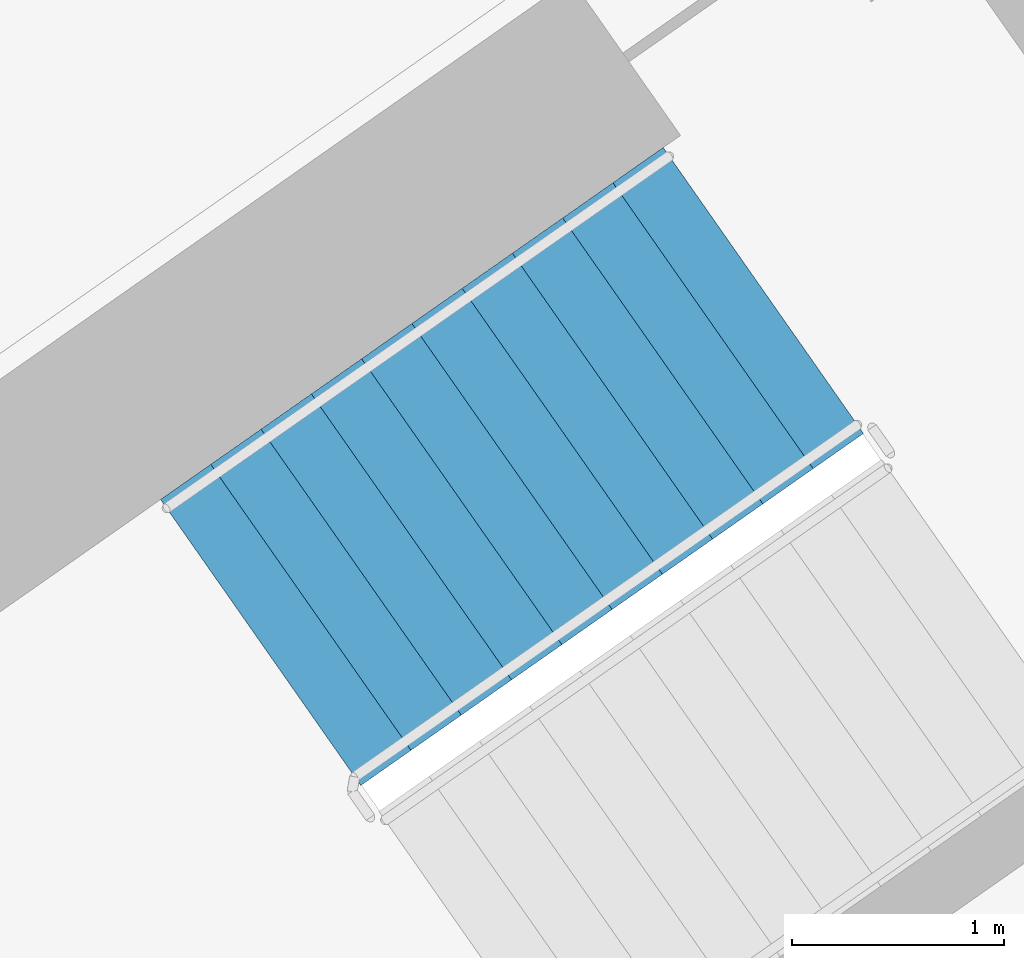
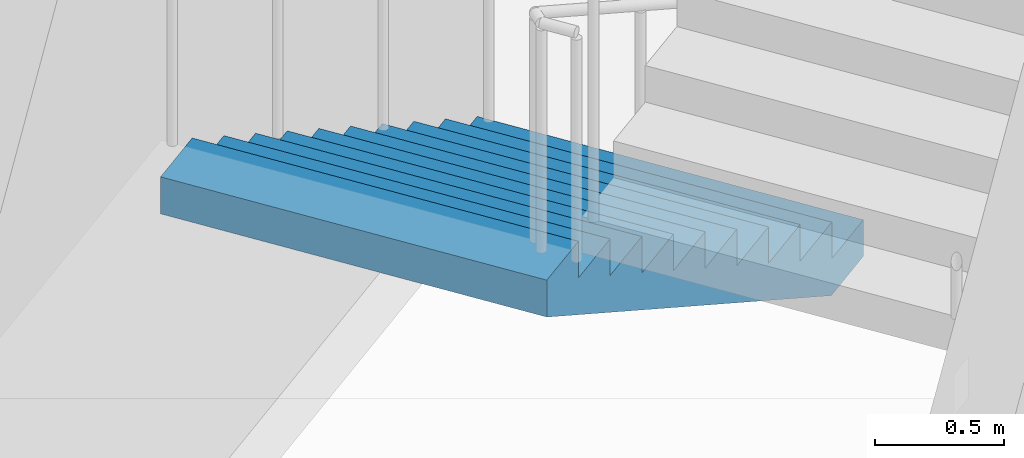
# One storey, part 15 of 30: 1 stair flight, 1 element without a shape of its own.
"""IFC4 building model written with IfcOpenShell, lengths in metres."""

from ifc_helpers import new_model, si_unit, direction, frame, origin, place, context, subcontext, project, spatial, faceted_brep, material, type_object, element, aggregate, save


model = new_model("IFC4")

# Units and contexts
model_context = context("Model", 3, precision=1e-05, world=origin(), true_north=direction((0.0, 1.0)))
body_context = subcontext(model_context, "Body", "Model", "MODEL_VIEW")
ifc_project = project(units=[si_unit("LENGTHUNIT", "METRE"), si_unit("AREAUNIT", "SQUARE_METRE"), si_unit("VOLUMEUNIT", "CUBIC_METRE"), si_unit("PLANEANGLEUNIT", "RADIAN"), si_unit("MASSUNIT", "GRAM", prefix="KILO")], contexts=[model_context])

# Site, building, storey
site_placement = place(None, origin())
site = spatial("IfcSite", under=ifc_project, at=site_placement, CompositionType="ELEMENT")
building_placement = place(site_placement, origin())
building = spatial("IfcBuilding", under=site, at=building_placement, Name="Qamariyya Broadcast Tower", CompositionType="ELEMENT")
storey_placement = place(building_placement, frame((0.0, 0.0, 98.699951171875)))
storey = spatial("IfcBuildingStorey", under=building, at=storey_placement, Name="L21", CompositionType="ELEMENT", Elevation=98.699951171875)

# Stair, stair flight
ifc_material = material(Name="Concrete C50/60", Category="concrete")
stair_type = type_object("IfcStairType", Name="Exit stair 22 risers of 173 mm", PredefinedType="HALF_TURN_STAIR", material=ifc_material)
stair_placement = place(storey_placement, origin())
stair = element("IfcStair", 1, at=stair_placement, inside=storey, type_object=stair_type, Name="L21 Stair E2", PredefinedType="HALF_TURN_STAIR")
stair_flight_type = type_object("IfcStairFlightType", Name="Exit stair flight 11 risers of 173 mm", PredefinedType="STRAIGHT", material=ifc_material)
stair_flight_placement = place(storey_placement, frame((40.558837890625, -47.685302734375, 0.0), z_axis=(0.0, 0.0, 1.0), x_axis=(-0.819152044289, -0.573576436351, 0.0)))
stair_flight = element("IfcStairFlight", 2, at=stair_flight_placement, type_object=stair_flight_type, Name="ST-E2 flight 1", NumberOfRisers=11, NumberOfTreads=10, PredefinedType="STRAIGHT", RiserHeight=0.172727273, TreadLength=0.29, context=body_context, shape_type="Brep", body=[
    faceted_brep([(0.0, 0.824951171875, 0.0), (0.0, 0.824951171875, 0.172607421875), (0.2900390625, 0.824951171875, 0.172607421875), (0.2900390625, 0.824951171875, 0.345458984375), (0.580078125, 0.824951171875, 0.345458984375), (0.580078125, 0.824951171875, 0.51806640625), (0.8701171875, 0.824951171875, 0.51806640625), (0.8701171875, 0.824951171875, 0.69091796875), (1.159912109375, 0.824951171875, 0.69091796875), (1.159912109375, 0.824951171875, 0.863525390625), (1.449951171875, 0.824951171875, 0.863525390625), (1.449951171875, 0.824951171875, 1.036376953125), (1.739990234375, 0.824951171875, 1.036376953125), (1.739990234375, 0.824951171875, 1.208984375), (2.030029296875, 0.824951171875, 1.208984375), (2.030029296875, 0.824951171875, 1.3818359375), (2.320068359375, 0.824951171875, 1.3818359375), (2.320068359375, 0.824951171875, 1.554443359375), (2.610107421875, 0.824951171875, 1.554443359375), (2.610107421875, 0.824951171875, 1.727294921875), (2.89990234375, 0.824951171875, 1.727294921875), (2.89990234375, 0.824951171875, 1.552734375), (0.29296875, 0.824951171875, 0.0), (0.29296875, -0.824951171875, 0.0), (2.89990234375, -0.824951171875, 1.552734375), (2.89990234375, -0.824951171875, 1.727294921875), (2.610107421875, -0.824951171875, 1.727294921875), (2.610107421875, -0.824951171875, 1.554443359375), (2.320068359375, -0.824951171875, 1.554443359375), (2.320068359375, -0.824951171875, 1.3818359375), (2.030029296875, -0.824951171875, 1.3818359375), (2.030029296875, -0.824951171875, 1.208984375), (1.739990234375, -0.824951171875, 1.208984375), (1.739990234375, -0.824951171875, 1.036376953125), (1.449951171875, -0.824951171875, 1.036376953125), (1.449951171875, -0.824951171875, 0.863525390625), (1.159912109375, -0.824951171875, 0.863525390625), (1.159912109375, -0.824951171875, 0.69091796875), (0.8701171875, -0.824951171875, 0.69091796875), (0.8701171875, -0.824951171875, 0.51806640625), (0.580078125, -0.824951171875, 0.51806640625), (0.580078125, -0.824951171875, 0.345458984375), (0.2900390625, -0.824951171875, 0.345458984375), (0.2900390625, -0.824951171875, 0.172607421875), (0.0, -0.824951171875, 0.172607421875), (0.0, -0.824951171875, 0.0), (0.0, 0.10009765625, 0.0), (0.0, 0.086669921875, 0.0), (0.0, 0.0732421875, 0.0), (0.0, 0.06005859375, 0.0), (0.0, 0.046630859375, 0.0), (0.0, 0.033447265625, 0.0), (0.0, 0.02001953125, 0.0), (0.0, 0.006591796875, 0.0), (0.0, -0.006591796875, 0.0), (0.0, -0.02001953125, 0.0), (0.0, -0.033447265625, 0.0), (0.0, -0.046630859375, 0.0), (0.0, -0.06005859375, 0.0), (0.0, -0.0732421875, 0.0), (0.0, -0.086669921875, 0.0), (0.0, -0.10009765625, 0.0), (0.0, -0.10009765625, 0.172607421875), (0.0, -0.086669921875, 0.172607421875), (0.0, -0.0732421875, 0.172607421875), (0.0, -0.06005859375, 0.172607421875), (0.0, -0.046630859375, 0.172607421875), (0.0, -0.033447265625, 0.172607421875), (0.0, -0.02001953125, 0.172607421875), (0.0, -0.006591796875, 0.172607421875), (0.0, 0.006591796875, 0.172607421875), (0.0, 0.02001953125, 0.172607421875), (0.0, 0.033447265625, 0.172607421875), (0.0, 0.046630859375, 0.172607421875), (0.0, 0.06005859375, 0.172607421875), (0.0, 0.0732421875, 0.172607421875), (0.0, 0.086669921875, 0.172607421875), (0.0, 0.10009765625, 0.172607421875), (0.2900390625, -0.10009765625, 0.172607421875), (0.2900390625, -0.086669921875, 0.172607421875), (0.2900390625, -0.0732421875, 0.172607421875), (0.2900390625, -0.06005859375, 0.172607421875), (0.2900390625, -0.046630859375, 0.172607421875), (0.2900390625, -0.033447265625, 0.172607421875), (0.2900390625, -0.02001953125, 0.172607421875), (0.2900390625, -0.006591796875, 0.172607421875), (0.2900390625, 0.006591796875, 0.172607421875), (0.2900390625, 0.02001953125, 0.172607421875), (0.2900390625, 0.033447265625, 0.172607421875), (0.2900390625, 0.046630859375, 0.172607421875), (0.2900390625, 0.06005859375, 0.172607421875), (0.2900390625, 0.0732421875, 0.172607421875), (0.2900390625, 0.086669921875, 0.172607421875), (0.2900390625, 0.10009765625, 0.172607421875), (0.2900390625, -0.10009765625, 0.345458984375), (0.2900390625, -0.086669921875, 0.345458984375), (0.2900390625, -0.0732421875, 0.345458984375), (0.2900390625, -0.06005859375, 0.345458984375), (0.2900390625, -0.046630859375, 0.345458984375), (0.2900390625, -0.033447265625, 0.345458984375), (0.2900390625, -0.02001953125, 0.345458984375), (0.2900390625, -0.006591796875, 0.345458984375), (0.2900390625, 0.006591796875, 0.345458984375), (0.2900390625, 0.02001953125, 0.345458984375), (0.2900390625, 0.033447265625, 0.345458984375), (0.2900390625, 0.046630859375, 0.345458984375), (0.2900390625, 0.06005859375, 0.345458984375), (0.2900390625, 0.0732421875, 0.345458984375), (0.2900390625, 0.086669921875, 0.345458984375), (0.2900390625, 0.10009765625, 0.345458984375), (0.580078125, -0.10009765625, 0.345458984375), (0.580078125, -0.086669921875, 0.345458984375), (0.580078125, -0.0732421875, 0.345458984375), (0.580078125, -0.06005859375, 0.345458984375), (0.580078125, -0.046630859375, 0.345458984375), (0.580078125, -0.033447265625, 0.345458984375), (0.580078125, -0.02001953125, 0.345458984375), (0.580078125, -0.006591796875, 0.345458984375), (0.580078125, 0.006591796875, 0.345458984375), (0.580078125, 0.02001953125, 0.345458984375), (0.580078125, 0.033447265625, 0.345458984375), (0.580078125, 0.046630859375, 0.345458984375), (0.580078125, 0.06005859375, 0.345458984375), (0.580078125, 0.0732421875, 0.345458984375), (0.580078125, 0.086669921875, 0.345458984375), (0.580078125, 0.10009765625, 0.345458984375), (0.580078125, -0.10009765625, 0.51806640625), (0.580078125, -0.086669921875, 0.51806640625), (0.580078125, -0.0732421875, 0.51806640625), (0.580078125, -0.06005859375, 0.51806640625), (0.580078125, -0.046630859375, 0.51806640625), (0.580078125, -0.033447265625, 0.51806640625), (0.580078125, -0.02001953125, 0.51806640625), (0.580078125, -0.006591796875, 0.51806640625), (0.580078125, 0.006591796875, 0.51806640625), (0.580078125, 0.02001953125, 0.51806640625), (0.580078125, 0.033447265625, 0.51806640625), (0.580078125, 0.046630859375, 0.51806640625), (0.580078125, 0.06005859375, 0.51806640625), (0.580078125, 0.0732421875, 0.51806640625), (0.580078125, 0.086669921875, 0.51806640625), (0.580078125, 0.10009765625, 0.51806640625), (0.8701171875, -0.10009765625, 0.51806640625), (0.8701171875, -0.086669921875, 0.51806640625), (0.8701171875, -0.0732421875, 0.51806640625), (0.8701171875, -0.06005859375, 0.51806640625), (0.8701171875, -0.046630859375, 0.51806640625), (0.8701171875, -0.033447265625, 0.51806640625), (0.8701171875, -0.02001953125, 0.51806640625), (0.8701171875, -0.006591796875, 0.51806640625), (0.8701171875, 0.006591796875, 0.51806640625), (0.8701171875, 0.02001953125, 0.51806640625), (0.8701171875, 0.033447265625, 0.51806640625), (0.8701171875, 0.046630859375, 0.51806640625), (0.8701171875, 0.06005859375, 0.51806640625), (0.8701171875, 0.0732421875, 0.51806640625), (0.8701171875, 0.086669921875, 0.51806640625), (0.8701171875, 0.10009765625, 0.51806640625), (0.8701171875, -0.10009765625, 0.69091796875), (0.8701171875, -0.086669921875, 0.69091796875), (0.8701171875, -0.0732421875, 0.69091796875), (0.8701171875, -0.06005859375, 0.69091796875), (0.8701171875, -0.046630859375, 0.69091796875), (0.8701171875, -0.033447265625, 0.69091796875), (0.8701171875, -0.02001953125, 0.69091796875), (0.8701171875, -0.006591796875, 0.69091796875), (0.8701171875, 0.006591796875, 0.69091796875), (0.8701171875, 0.02001953125, 0.69091796875), (0.8701171875, 0.033447265625, 0.69091796875), (0.8701171875, 0.046630859375, 0.69091796875), (0.8701171875, 0.06005859375, 0.69091796875), (0.8701171875, 0.0732421875, 0.69091796875), (0.8701171875, 0.086669921875, 0.69091796875), (0.8701171875, 0.10009765625, 0.69091796875), (1.159912109375, -0.10009765625, 0.69091796875), (1.159912109375, -0.086669921875, 0.69091796875), (1.159912109375, -0.0732421875, 0.69091796875), (1.159912109375, -0.06005859375, 0.69091796875), (1.159912109375, -0.046630859375, 0.69091796875), (1.159912109375, -0.033447265625, 0.69091796875), (1.159912109375, -0.02001953125, 0.69091796875), (1.159912109375, -0.006591796875, 0.69091796875), (1.159912109375, 0.006591796875, 0.69091796875), (1.159912109375, 0.02001953125, 0.69091796875), (1.159912109375, 0.033447265625, 0.69091796875), (1.159912109375, 0.046630859375, 0.69091796875), (1.159912109375, 0.06005859375, 0.69091796875), (1.159912109375, 0.0732421875, 0.69091796875), (1.159912109375, 0.086669921875, 0.69091796875), (1.159912109375, 0.10009765625, 0.69091796875), (1.159912109375, -0.10009765625, 0.863525390625), (1.159912109375, -0.086669921875, 0.863525390625), (1.159912109375, -0.0732421875, 0.863525390625), (1.159912109375, -0.06005859375, 0.863525390625), (1.159912109375, -0.046630859375, 0.863525390625), (1.159912109375, -0.033447265625, 0.863525390625), (1.159912109375, -0.02001953125, 0.863525390625), (1.159912109375, -0.006591796875, 0.863525390625), (1.159912109375, 0.006591796875, 0.863525390625), (1.159912109375, 0.02001953125, 0.863525390625), (1.159912109375, 0.033447265625, 0.863525390625), (1.159912109375, 0.046630859375, 0.863525390625), (1.159912109375, 0.06005859375, 0.863525390625), (1.159912109375, 0.0732421875, 0.863525390625), (1.159912109375, 0.086669921875, 0.863525390625), (1.159912109375, 0.10009765625, 0.863525390625), (1.449951171875, -0.10009765625, 0.863525390625), (1.449951171875, -0.086669921875, 0.863525390625), (1.449951171875, -0.0732421875, 0.863525390625), (1.449951171875, -0.06005859375, 0.863525390625), (1.449951171875, -0.046630859375, 0.863525390625), (1.449951171875, -0.033447265625, 0.863525390625), (1.449951171875, -0.02001953125, 0.863525390625), (1.449951171875, -0.006591796875, 0.863525390625), (1.449951171875, 0.006591796875, 0.863525390625), (1.449951171875, 0.02001953125, 0.863525390625), (1.449951171875, 0.033447265625, 0.863525390625), (1.449951171875, 0.046630859375, 0.863525390625), (1.449951171875, 0.06005859375, 0.863525390625), (1.449951171875, 0.0732421875, 0.863525390625), (1.449951171875, 0.086669921875, 0.863525390625), (1.449951171875, 0.10009765625, 0.863525390625), (1.449951171875, -0.10009765625, 1.036376953125), (1.449951171875, -0.086669921875, 1.036376953125), (1.449951171875, -0.0732421875, 1.036376953125), (1.449951171875, -0.06005859375, 1.036376953125), (1.449951171875, -0.046630859375, 1.036376953125), (1.449951171875, -0.033447265625, 1.036376953125), (1.449951171875, -0.02001953125, 1.036376953125), (1.449951171875, -0.006591796875, 1.036376953125), (1.449951171875, 0.006591796875, 1.036376953125), (1.449951171875, 0.02001953125, 1.036376953125), (1.449951171875, 0.033447265625, 1.036376953125), (1.449951171875, 0.046630859375, 1.036376953125), (1.449951171875, 0.06005859375, 1.036376953125), (1.449951171875, 0.0732421875, 1.036376953125), (1.449951171875, 0.086669921875, 1.036376953125), (1.449951171875, 0.10009765625, 1.036376953125), (1.739990234375, -0.10009765625, 1.036376953125), (1.739990234375, -0.086669921875, 1.036376953125), (1.739990234375, -0.0732421875, 1.036376953125), (1.739990234375, -0.06005859375, 1.036376953125), (1.739990234375, -0.046630859375, 1.036376953125), (1.739990234375, -0.033447265625, 1.036376953125), (1.739990234375, -0.02001953125, 1.036376953125), (1.739990234375, -0.006591796875, 1.036376953125), (1.739990234375, 0.006591796875, 1.036376953125), (1.739990234375, 0.02001953125, 1.036376953125), (1.739990234375, 0.033447265625, 1.036376953125), (1.739990234375, 0.046630859375, 1.036376953125), (1.739990234375, 0.06005859375, 1.036376953125), (1.739990234375, 0.0732421875, 1.036376953125), (1.739990234375, 0.086669921875, 1.036376953125), (1.739990234375, 0.10009765625, 1.036376953125), (1.739990234375, -0.10009765625, 1.208984375), (1.739990234375, -0.086669921875, 1.208984375), (1.739990234375, -0.0732421875, 1.208984375), (1.739990234375, -0.06005859375, 1.208984375), (1.739990234375, -0.046630859375, 1.208984375), (1.739990234375, -0.033447265625, 1.208984375), (1.739990234375, -0.02001953125, 1.208984375), (1.739990234375, -0.006591796875, 1.208984375), (1.739990234375, 0.006591796875, 1.208984375), (1.739990234375, 0.02001953125, 1.208984375), (1.739990234375, 0.033447265625, 1.208984375), (1.739990234375, 0.046630859375, 1.208984375), (1.739990234375, 0.06005859375, 1.208984375), (1.739990234375, 0.0732421875, 1.208984375), (1.739990234375, 0.086669921875, 1.208984375), (1.739990234375, 0.10009765625, 1.208984375), (2.030029296875, -0.10009765625, 1.208984375), (2.030029296875, -0.086669921875, 1.208984375), (2.030029296875, -0.0732421875, 1.208984375), (2.030029296875, -0.06005859375, 1.208984375), (2.030029296875, -0.046630859375, 1.208984375), (2.030029296875, -0.033447265625, 1.208984375), (2.030029296875, -0.02001953125, 1.208984375), (2.030029296875, -0.006591796875, 1.208984375), (2.030029296875, 0.006591796875, 1.208984375), (2.030029296875, 0.02001953125, 1.208984375), (2.030029296875, 0.033447265625, 1.208984375), (2.030029296875, 0.046630859375, 1.208984375), (2.030029296875, 0.06005859375, 1.208984375), (2.030029296875, 0.0732421875, 1.208984375), (2.030029296875, 0.086669921875, 1.208984375), (2.030029296875, 0.10009765625, 1.208984375), (2.030029296875, -0.10009765625, 1.3818359375), (2.030029296875, -0.086669921875, 1.3818359375), (2.030029296875, -0.0732421875, 1.3818359375), (2.030029296875, -0.06005859375, 1.3818359375), (2.030029296875, -0.046630859375, 1.3818359375), (2.030029296875, -0.033447265625, 1.3818359375), (2.030029296875, -0.02001953125, 1.3818359375), (2.030029296875, -0.006591796875, 1.3818359375), (2.030029296875, 0.006591796875, 1.3818359375), (2.030029296875, 0.02001953125, 1.3818359375), (2.030029296875, 0.033447265625, 1.3818359375), (2.030029296875, 0.046630859375, 1.3818359375), (2.030029296875, 0.06005859375, 1.3818359375), (2.030029296875, 0.0732421875, 1.3818359375), (2.030029296875, 0.086669921875, 1.3818359375), (2.030029296875, 0.10009765625, 1.3818359375), (2.320068359375, -0.10009765625, 1.3818359375), (2.320068359375, -0.086669921875, 1.3818359375), (2.320068359375, -0.0732421875, 1.3818359375), (2.320068359375, -0.06005859375, 1.3818359375), (2.320068359375, -0.046630859375, 1.3818359375), (2.320068359375, -0.033447265625, 1.3818359375), (2.320068359375, -0.02001953125, 1.3818359375), (2.320068359375, -0.006591796875, 1.3818359375), (2.320068359375, 0.006591796875, 1.3818359375), (2.320068359375, 0.02001953125, 1.3818359375), (2.320068359375, 0.033447265625, 1.3818359375), (2.320068359375, 0.046630859375, 1.3818359375), (2.320068359375, 0.06005859375, 1.3818359375), (2.320068359375, 0.0732421875, 1.3818359375), (2.320068359375, 0.086669921875, 1.3818359375), (2.320068359375, 0.10009765625, 1.3818359375), (2.320068359375, -0.10009765625, 1.554443359375), (2.320068359375, -0.086669921875, 1.554443359375), (2.320068359375, -0.0732421875, 1.554443359375), (2.320068359375, -0.06005859375, 1.554443359375), (2.320068359375, -0.046630859375, 1.554443359375), (2.320068359375, -0.033447265625, 1.554443359375), (2.320068359375, -0.02001953125, 1.554443359375), (2.320068359375, -0.006591796875, 1.554443359375), (2.320068359375, 0.006591796875, 1.554443359375), (2.320068359375, 0.02001953125, 1.554443359375), (2.320068359375, 0.033447265625, 1.554443359375), (2.320068359375, 0.046630859375, 1.554443359375), (2.320068359375, 0.06005859375, 1.554443359375), (2.320068359375, 0.0732421875, 1.554443359375), (2.320068359375, 0.086669921875, 1.554443359375), (2.320068359375, 0.10009765625, 1.554443359375), (2.610107421875, -0.10009765625, 1.554443359375), (2.610107421875, -0.086669921875, 1.554443359375), (2.610107421875, -0.0732421875, 1.554443359375), (2.610107421875, -0.06005859375, 1.554443359375), (2.610107421875, -0.046630859375, 1.554443359375), (2.610107421875, -0.033447265625, 1.554443359375), (2.610107421875, -0.02001953125, 1.554443359375), (2.610107421875, -0.006591796875, 1.554443359375), (2.610107421875, 0.006591796875, 1.554443359375), (2.610107421875, 0.02001953125, 1.554443359375), (2.610107421875, 0.033447265625, 1.554443359375), (2.610107421875, 0.046630859375, 1.554443359375), (2.610107421875, 0.06005859375, 1.554443359375), (2.610107421875, 0.0732421875, 1.554443359375), (2.610107421875, 0.086669921875, 1.554443359375), (2.610107421875, 0.10009765625, 1.554443359375), (2.610107421875, -0.10009765625, 1.727294921875), (2.610107421875, -0.086669921875, 1.727294921875), (2.610107421875, -0.0732421875, 1.727294921875), (2.610107421875, -0.06005859375, 1.727294921875), (2.610107421875, -0.046630859375, 1.727294921875), (2.610107421875, -0.033447265625, 1.727294921875), (2.610107421875, -0.02001953125, 1.727294921875), (2.610107421875, -0.006591796875, 1.727294921875), (2.610107421875, 0.006591796875, 1.727294921875), (2.610107421875, 0.02001953125, 1.727294921875), (2.610107421875, 0.033447265625, 1.727294921875), (2.610107421875, 0.046630859375, 1.727294921875), (2.610107421875, 0.06005859375, 1.727294921875), (2.610107421875, 0.0732421875, 1.727294921875), (2.610107421875, 0.086669921875, 1.727294921875), (2.610107421875, 0.10009765625, 1.727294921875), (2.89990234375, -0.10009765625, 1.727294921875), (2.89990234375, -0.086669921875, 1.727294921875), (2.89990234375, -0.0732421875, 1.727294921875), (2.89990234375, -0.06005859375, 1.727294921875), (2.89990234375, -0.046630859375, 1.727294921875), (2.89990234375, -0.033447265625, 1.727294921875), (2.89990234375, -0.02001953125, 1.727294921875), (2.89990234375, -0.006591796875, 1.727294921875), (2.89990234375, 0.006591796875, 1.727294921875), (2.89990234375, 0.02001953125, 1.727294921875), (2.89990234375, 0.033447265625, 1.727294921875), (2.89990234375, 0.046630859375, 1.727294921875), (2.89990234375, 0.06005859375, 1.727294921875), (2.89990234375, 0.0732421875, 1.727294921875), (2.89990234375, 0.086669921875, 1.727294921875), (2.89990234375, 0.10009765625, 1.727294921875), (2.89990234375, -0.10009765625, 1.552734375), (2.89990234375, -0.086669921875, 1.552734375), (2.89990234375, -0.0732421875, 1.552734375), (2.89990234375, -0.06005859375, 1.552734375), (2.89990234375, -0.046630859375, 1.552734375), (2.89990234375, -0.033447265625, 1.552734375), (2.89990234375, -0.02001953125, 1.552734375), (2.89990234375, -0.006591796875, 1.552734375), (2.89990234375, 0.006591796875, 1.552734375), (2.89990234375, 0.02001953125, 1.552734375), (2.89990234375, 0.033447265625, 1.552734375), (2.89990234375, 0.046630859375, 1.552734375), (2.89990234375, 0.06005859375, 1.552734375), (2.89990234375, 0.0732421875, 1.552734375), (2.89990234375, 0.086669921875, 1.552734375), (2.89990234375, 0.10009765625, 1.552734375), (0.29296875, -0.10009765625, 0.0), (0.29296875, -0.086669921875, 0.0), (0.29296875, -0.0732421875, 0.0), (0.29296875, -0.06005859375, 0.0), (0.29296875, -0.046630859375, 0.0), (0.29296875, -0.033447265625, 0.0), (0.29296875, -0.02001953125, 0.0), (0.29296875, -0.006591796875, 0.0), (0.29296875, 0.006591796875, 0.0), (0.29296875, 0.02001953125, 0.0), (0.29296875, 0.033447265625, 0.0), (0.29296875, 0.046630859375, 0.0), (0.29296875, 0.06005859375, 0.0), (0.29296875, 0.0732421875, 0.0), (0.29296875, 0.086669921875, 0.0), (0.29296875, 0.10009765625, 0.0)], [[[0, 1, 2, 3, 4, 5, 6, 7, 8, 9, 10, 11, 12, 13, 14, 15, 16, 17, 18, 19, 20, 21, 22]], [[23, 24, 25, 26, 27, 28, 29, 30, 31, 32, 33, 34, 35, 36, 37, 38, 39, 40, 41, 42, 43, 44, 45]], [[0, 46, 47, 48, 49, 50, 51, 52, 53, 54, 55, 56, 57, 58, 59, 60, 61, 45, 44, 62, 63, 64, 65, 66, 67, 68, 69, 70, 71, 72, 73, 74, 75, 76, 77, 1]], [[1, 77, 76, 75, 74, 73, 72, 71, 70, 69, 68, 67, 66, 65, 64, 63, 62, 44, 43, 78, 79, 80, 81, 82, 83, 84, 85, 86, 87, 88, 89, 90, 91, 92, 93, 2]], [[2, 93, 92, 91, 90, 89, 88, 87, 86, 85, 84, 83, 82, 81, 80, 79, 78, 43, 42, 94, 95, 96, 97, 98, 99, 100, 101, 102, 103, 104, 105, 106, 107, 108, 109, 3]], [[3, 109, 108, 107, 106, 105, 104, 103, 102, 101, 100, 99, 98, 97, 96, 95, 94, 42, 41, 110, 111, 112, 113, 114, 115, 116, 117, 118, 119, 120, 121, 122, 123, 124, 125, 4]], [[4, 125, 124, 123, 122, 121, 120, 119, 118, 117, 116, 115, 114, 113, 112, 111, 110, 41, 40, 126, 127, 128, 129, 130, 131, 132, 133, 134, 135, 136, 137, 138, 139, 140, 141, 5]], [[5, 141, 140, 139, 138, 137, 136, 135, 134, 133, 132, 131, 130, 129, 128, 127, 126, 40, 39, 142, 143, 144, 145, 146, 147, 148, 149, 150, 151, 152, 153, 154, 155, 156, 157, 6]], [[6, 157, 156, 155, 154, 153, 152, 151, 150, 149, 148, 147, 146, 145, 144, 143, 142, 39, 38, 158, 159, 160, 161, 162, 163, 164, 165, 166, 167, 168, 169, 170, 171, 172, 173, 7]], [[7, 173, 172, 171, 170, 169, 168, 167, 166, 165, 164, 163, 162, 161, 160, 159, 158, 38, 37, 174, 175, 176, 177, 178, 179, 180, 181, 182, 183, 184, 185, 186, 187, 188, 189, 8]], [[8, 189, 188, 187, 186, 185, 184, 183, 182, 181, 180, 179, 178, 177, 176, 175, 174, 37, 36, 190, 191, 192, 193, 194, 195, 196, 197, 198, 199, 200, 201, 202, 203, 204, 205, 9]], [[9, 205, 204, 203, 202, 201, 200, 199, 198, 197, 196, 195, 194, 193, 192, 191, 190, 36, 35, 206, 207, 208, 209, 210, 211, 212, 213, 214, 215, 216, 217, 218, 219, 220, 221, 10]], [[10, 221, 220, 219, 218, 217, 216, 215, 214, 213, 212, 211, 210, 209, 208, 207, 206, 35, 34, 222, 223, 224, 225, 226, 227, 228, 229, 230, 231, 232, 233, 234, 235, 236, 237, 11]], [[11, 237, 236, 235, 234, 233, 232, 231, 230, 229, 228, 227, 226, 225, 224, 223, 222, 34, 33, 238, 239, 240, 241, 242, 243, 244, 245, 246, 247, 248, 249, 250, 251, 252, 253, 12]], [[12, 253, 252, 251, 250, 249, 248, 247, 246, 245, 244, 243, 242, 241, 240, 239, 238, 33, 32, 254, 255, 256, 257, 258, 259, 260, 261, 262, 263, 264, 265, 266, 267, 268, 269, 13]], [[13, 269, 268, 267, 266, 265, 264, 263, 262, 261, 260, 259, 258, 257, 256, 255, 254, 32, 31, 270, 271, 272, 273, 274, 275, 276, 277, 278, 279, 280, 281, 282, 283, 284, 285, 14]], [[14, 285, 284, 283, 282, 281, 280, 279, 278, 277, 276, 275, 274, 273, 272, 271, 270, 31, 30, 286, 287, 288, 289, 290, 291, 292, 293, 294, 295, 296, 297, 298, 299, 300, 301, 15]], [[15, 301, 300, 299, 298, 297, 296, 295, 294, 293, 292, 291, 290, 289, 288, 287, 286, 30, 29, 302, 303, 304, 305, 306, 307, 308, 309, 310, 311, 312, 313, 314, 315, 316, 317, 16]], [[16, 317, 316, 315, 314, 313, 312, 311, 310, 309, 308, 307, 306, 305, 304, 303, 302, 29, 28, 318, 319, 320, 321, 322, 323, 324, 325, 326, 327, 328, 329, 330, 331, 332, 333, 17]], [[17, 333, 332, 331, 330, 329, 328, 327, 326, 325, 324, 323, 322, 321, 320, 319, 318, 28, 27, 334, 335, 336, 337, 338, 339, 340, 341, 342, 343, 344, 345, 346, 347, 348, 349, 18]], [[18, 349, 348, 347, 346, 345, 344, 343, 342, 341, 340, 339, 338, 337, 336, 335, 334, 27, 26, 350, 351, 352, 353, 354, 355, 356, 357, 358, 359, 360, 361, 362, 363, 364, 365, 19]], [[19, 365, 364, 363, 362, 361, 360, 359, 358, 357, 356, 355, 354, 353, 352, 351, 350, 26, 25, 366, 367, 368, 369, 370, 371, 372, 373, 374, 375, 376, 377, 378, 379, 380, 381, 20]], [[20, 381, 380, 379, 378, 377, 376, 375, 374, 373, 372, 371, 370, 369, 368, 367, 366, 25, 24, 382, 383, 384, 385, 386, 387, 388, 389, 390, 391, 392, 393, 394, 395, 396, 397, 21]], [[21, 397, 396, 395, 394, 393, 392, 391, 390, 389, 388, 387, 386, 385, 384, 383, 382, 24, 23, 398, 399, 400, 401, 402, 403, 404, 405, 406, 407, 408, 409, 410, 411, 412, 413, 22]], [[22, 413, 412, 411, 410, 409, 408, 407, 406, 405, 404, 403, 402, 401, 400, 399, 398, 23, 45, 61, 60, 59, 58, 57, 56, 55, 54, 53, 52, 51, 50, 49, 48, 47, 46, 0]]]),
])
aggregate(stair, [stair_flight])

save(model, "model.ifc")
